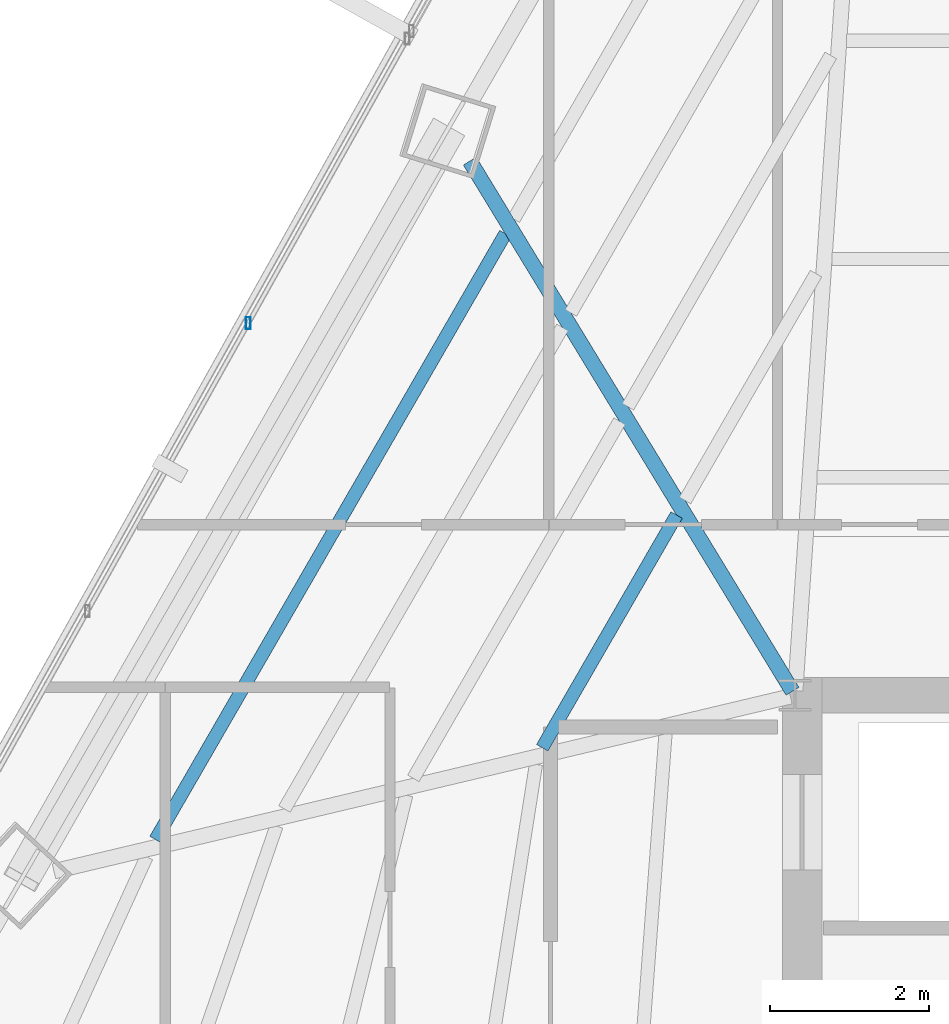
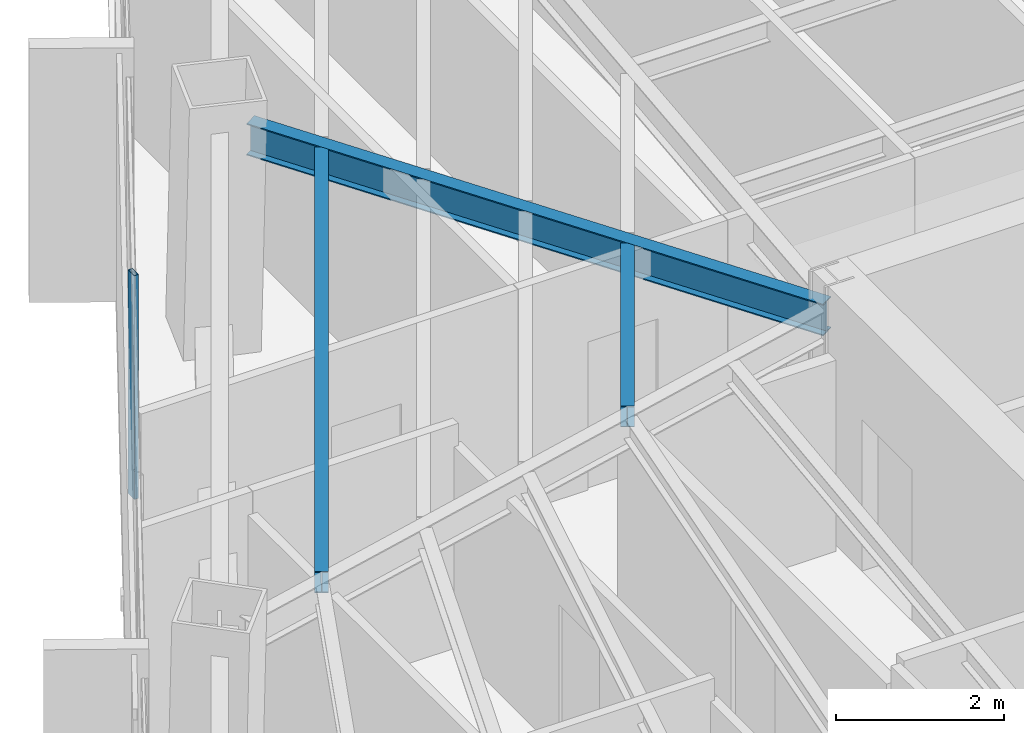
# One storey, part 15 of 40: 3 beams, 1 member, 1 element without a shape of its own.
"""IFC4 building model written with IfcOpenShell, lengths in metres."""

from ifc_helpers import new_model, si_unit, direction, frame, origin, origin_2d, place, context, subcontext, project, spatial, hollow_rectangle, i_section, extrude, source, transform, mapped, material, material_profile, profile_set, type_object, type_shapes, element, aggregate, save


model = new_model("IFC4")

# Units and contexts
model_context = context("Model", 3, precision=1e-05, world=origin(), true_north=direction((0.0, 1.0)))
body_context = subcontext(model_context, "Body", "Model", "MODEL_VIEW")
ifc_project = project(units=[si_unit("LENGTHUNIT", "METRE"), si_unit("AREAUNIT", "SQUARE_METRE"), si_unit("VOLUMEUNIT", "CUBIC_METRE"), si_unit("PLANEANGLEUNIT", "RADIAN"), si_unit("MASSUNIT", "GRAM", prefix="KILO")], contexts=[model_context])

# Site, building, storey
site_placement = place(None, origin())
site = spatial("IfcSite", under=ifc_project, at=site_placement, CompositionType="ELEMENT")
building_placement = place(site_placement, origin())
building = spatial("IfcBuilding", under=site, at=building_placement, Name="Caelisora Broadcast Tower", CompositionType="ELEMENT")
storey_placement = place(building_placement, frame((0.0, 0.0, 146.39990234375)))
storey = spatial("IfcBuildingStorey", under=building, at=storey_placement, Name="L38", CompositionType="ELEMENT", Elevation=146.39990234375)

# Beams
ifc_material_1 = material(Name="Steel Grade 350 (AS/NZS 3679.1)", Category="steel")
ifc_material_profile_1 = material_profile(ifc_material_1, i_section(OverallWidth=0.19091796875, OverallDepth=0.46044921875, WebThickness=0.010009765625, FlangeThickness=0.01611328125, at=origin_2d()), Name="Steel Grade 350 (AS/NZS 3679.1)")
ifc_profile_set_1 = profile_set([ifc_material_profile_1], Name="Steel Grade 350 (AS/NZS 3679.1)")
beam_type_1 = type_object("IfcBeamType", Name="PG06", PredefinedType="BEAM", material=ifc_profile_set_1)
shared_shape_1 = source(origin(), body_context, "Body", "SweptSolid", [
    extrude(i_section(OverallWidth=0.19091796875, OverallDepth=0.46044921875, WebThickness=0.010009765625, FlangeThickness=0.01611328125, at=origin_2d()), origin(), (0.0, 0.0, 1.0), 7.816650390625),
])
type_shapes(beam_type_1, [shared_shape_1])
beam_1_placement = place(storey_placement, frame((30.46875, 30.05126953125, 3.02001953125), z_axis=(-0.519905330934, 0.85422388568, 0.0), x_axis=(-0.85422388568, -0.519905330934, 0.0)))
element("IfcBeam", 1, at=beam_1_placement, inside=storey, type_object=beam_type_1, Name="L38 beam PG06", PredefinedType="BEAM", context=body_context, shape_type="MappedRepresentation", body=[
    mapped(shared_shape_1, transform((0.0, 0.0, 0.0), scale=1.0)),
])
ifc_material_profile_2 = material_profile(ifc_material_1, i_section(OverallWidth=0.166015625, OverallDepth=0.30712890625, WebThickness=0.006591796875, FlangeThickness=0.01171875, at=origin_2d()), Name="Steel Grade 350 (AS/NZS 3679.1)")
ifc_profile_set_2 = profile_set([ifc_material_profile_2], Name="Steel Grade 350 (AS/NZS 3679.1)")
beam_type_2 = type_object("IfcBeamType", Name="SB03", PredefinedType="JOIST", material=ifc_profile_set_2)
shared_shape_2 = source(origin(), body_context, "Body", "SweptSolid", [
    extrude(i_section(OverallWidth=0.166015625, OverallDepth=0.30712890625, WebThickness=0.006591796875, FlangeThickness=0.01171875, at=origin_2d()), origin(), (0.0, 0.0, 1.0), 3.384033203125),
])
beam_2_placement = place(storey_placement, frame((29.00927734375, 32.270751953125, 3.096435546875), z_axis=(-0.500026370116, -0.866010178455, 0.0), x_axis=(0.866010178455, -0.500026370116, 0.0)))
element("IfcBeam", 2, at=beam_2_placement, inside=storey, type_object=beam_type_2, Name="L38 beam SB03", PredefinedType="JOIST", context=body_context, shape_type="MappedRepresentation", body=[
    mapped(shared_shape_2, transform((0.0, 0.0, 0.0), scale=1.0)),
])
shared_shape_3 = source(origin(), body_context, "Body", "SweptSolid", [
    extrude(i_section(OverallWidth=0.166015625, OverallDepth=0.30712890625, WebThickness=0.006591796875, FlangeThickness=0.01171875, at=origin_2d()), origin(), (0.0, 0.0, 1.0), 8.81103515625),
])
type_shapes(beam_type_2, [shared_shape_2, shared_shape_3])
beam_3_placement = place(storey_placement, frame((26.852294921875, 35.814453125, 3.096435546875), z_axis=(-0.499998282143, -0.866026395587, 0.0), x_axis=(0.866026395587, -0.499998282143, 0.0)))
element("IfcBeam", 3, at=beam_3_placement, inside=storey, type_object=beam_type_2, Name="L38 beam SB03", PredefinedType="JOIST", context=body_context, shape_type="MappedRepresentation", body=[
    mapped(shared_shape_3, transform((0.0, 0.0, 0.0), scale=1.0)),
])

# Curtain wall, member
ifc_material_2 = material(Name="Unitised Aluminium Insulated Shadow-Box Spandrel Curtain Wall", Category="aluminium")
curtain_wall_type = type_object("IfcCurtainWallType", Name="CW-SP2", PredefinedType="NOTDEFINED", material=ifc_material_2)
curtain_wall_placement = place(storey_placement, origin())
curtain_wall = element("IfcCurtainWall", 4, at=curtain_wall_placement, inside=storey, type_object=curtain_wall_type, Name="L38 curtain wall CW-SP2", PredefinedType="NOTDEFINED")
ifc_material_3 = material(Name="Aluminium 6063-T6 Anodised Terracotta Bronze", Category="aluminium")
ifc_material_profile_3 = material_profile(ifc_material_3, hollow_rectangle(XDim=0.06005859375, YDim=0.14990234375, WallThickness=0.00341796875, at=origin_2d()), Name="Aluminium 6063-T6 Anodised Terracotta Bronze")
ifc_profile_set_3 = profile_set([ifc_material_profile_3], Name="Aluminium 6063-T6 Anodised Terracotta Bronze")
member_type = type_object("IfcMemberType", Name="CWM-03", PredefinedType="MULLION", material=ifc_profile_set_3)
shared_shape_4 = source(origin(), body_context, "Body", "SweptSolid", [
    extrude(hollow_rectangle(XDim=0.06005859375, YDim=0.14990234375, WallThickness=0.00341796875, at=origin_2d()), origin(), (0.0, 0.0, 1.0), 3.25),
])
type_shapes(member_type, [shared_shape_4])
member_placement = place(storey_placement, frame((23.615966796875, 34.687255859375, 0.0), z_axis=(0.0, 0.0, 1.0), x_axis=(1.0, 0.0, 0.0)))
member = element("IfcMember", 5, at=member_placement, type_object=member_type, Name="L38-CW-B10 mullion #2", PredefinedType="MULLION", context=body_context, shape_type="MappedRepresentation", body=[
    mapped(shared_shape_4, transform((0.0, 0.0, 0.0), scale=1.0)),
])
aggregate(curtain_wall, [member])

save(model, "model.ifc")
